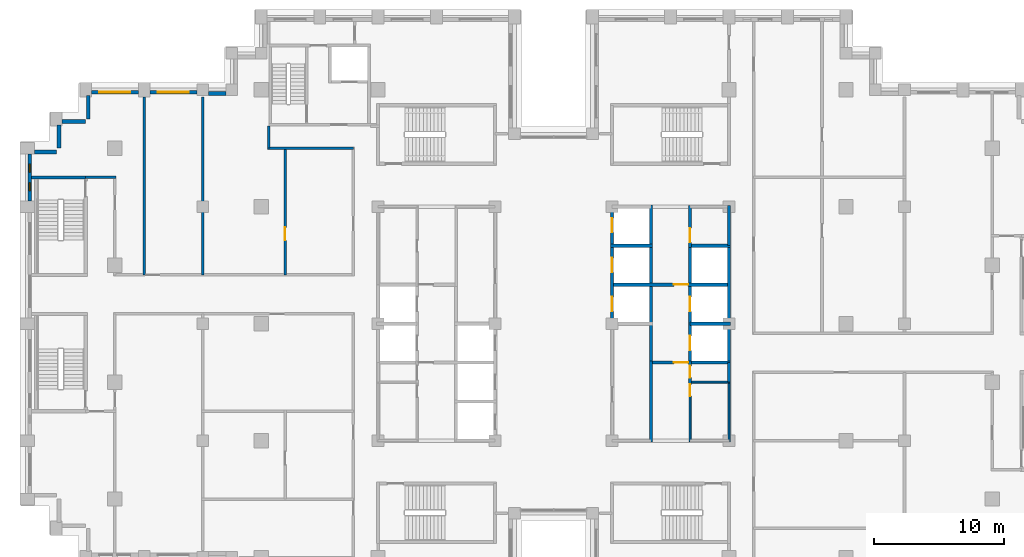
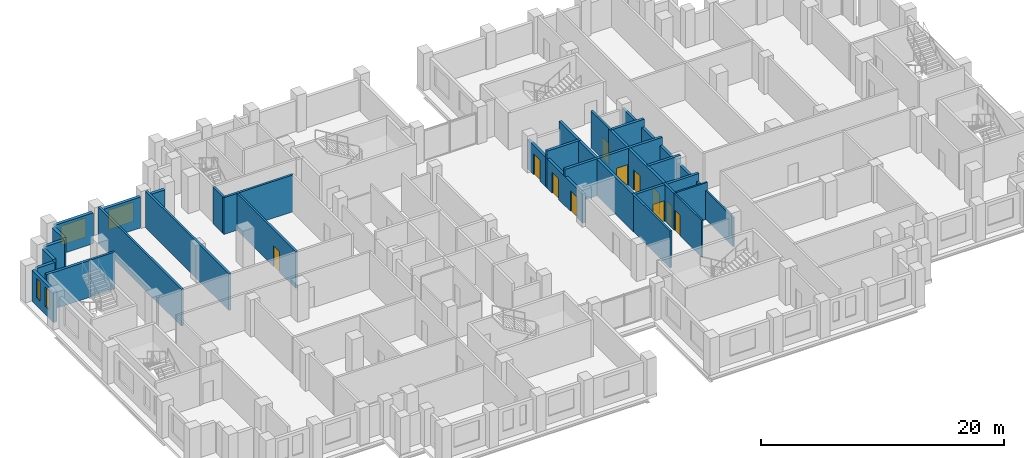
# One storey, part 9 of 15: 32 walls, 11 doors, 4 windows, 15 openings.
"""IFC4 building model written with IfcOpenShell, lengths in metres."""

from ifc_helpers import new_model, si_unit, direction, frame, frame_2d, origin, place, context, subcontext, project, spatial, rectangle, extrude, material, layer, layer_set, type_object, element, fill, save


model = new_model("IFC4")

# Units and contexts
model_context = context("Model", 3, precision=1e-05, world=origin(), true_north=direction((0.0, 1.0)))
body_context = subcontext(model_context, "Body", "Model", "MODEL_VIEW")
ifc_project = project(units=[si_unit("LENGTHUNIT", "METRE"), si_unit("AREAUNIT", "SQUARE_METRE"), si_unit("VOLUMEUNIT", "CUBIC_METRE"), si_unit("PLANEANGLEUNIT", "RADIAN"), si_unit("MASSUNIT", "GRAM", prefix="KILO")], contexts=[model_context])

# Site, building, storey
site_placement = place(None, origin())
site = spatial("IfcSite", under=ifc_project, at=site_placement, CompositionType="ELEMENT")
building_placement = place(site_placement, origin())
building = spatial("IfcBuilding", under=site, at=building_placement, Name="Corbelhall Arena Tower", CompositionType="ELEMENT")
storey_placement = place(building_placement, frame((0.0, 0.0, 166.0)))
storey = spatial("IfcBuildingStorey", under=building, at=storey_placement, Name="L33", CompositionType="ELEMENT", Elevation=166.0)

# Walls
ifc_material_1 = material(Name="Precast concrete C40/50 with granite facing", Category="masonry")
ifc_layer_1 = layer(ifc_material_1, 0.300048828125)
ifc_layer_set_1 = layer_set([ifc_layer_1], Name="EV-IW1 Infill panel 300")
wall_type_1 = type_object("IfcWallType", Name="EV-IW1 Infill panel 300", PredefinedType="SOLIDWALL", material=ifc_layer_set_1)
for number, where, z_axis, x_axis, name in (
    (1, (-35.800048828125, 17.550048828125, 0.0), (0.0, 0.0, 1.0), (0.0, -1.0, 0.0), "Infill panel IW1"),
    (2, (-37.800048828125, 15.550048828125, 0.0), (0.0, 0.0, 1.0), (1.0, 0.0, 0.0), "Infill panel IW1"),
    (3, (-38.050048828125, 15.300048828125, 0.0), (0.0, 0.0, 1.0), (0.0, -1.0, 0.0), "Infill panel IW1"),
):
    element("IfcWall", number, at=place(storey_placement, frame(where, z_axis=z_axis, x_axis=x_axis)), inside=storey, type_object=wall_type_1, Name=name, PredefinedType="SOLIDWALL", context=body_context, shape_type="SweptSolid", body=[
        extrude(rectangle(XDim=1.800048828125, YDim=0.300048828125, at=frame_2d((0.89990234375, 0.0))), origin(), (0.0, 0.0, 1.0), 3.10009765625),
    ])
wall_1_placement = place(storey_placement, frame((-39.949951171875, 13.199951171875, 0.0), z_axis=(0.0, 0.0, 1.0), x_axis=(1.0, 0.0, 0.0)))
element("IfcWall", 4, at=wall_1_placement, inside=storey, type_object=wall_type_1, Name="Infill panel IW1", PredefinedType="SOLIDWALL", context=body_context, shape_type="SweptSolid", body=[
    extrude(rectangle(XDim=1.699951171875, YDim=0.300048828125, at=frame_2d((0.85009765625, 0.0))), origin(), (0.0, 0.0, 1.0), 3.10009765625),
])
wall_2_placement = place(storey_placement, frame((-25.199951171875, 17.699951171875, 0.0), z_axis=(0.0, 0.0, 1.0), x_axis=(-1.0, 0.0, 0.0)))
element("IfcWall", 5, at=wall_2_placement, inside=storey, type_object=wall_type_1, Name="Infill panel IW1", PredefinedType="SOLIDWALL", context=body_context, shape_type="SweptSolid", body=[
    extrude(rectangle(XDim=1.35009765625, YDim=0.300048828125, at=frame_2d((0.675048828125, 0.0))), origin(), (0.0, 0.0, 1.0), 3.10009765625),
])

# Wall, opening, window
wall_3_placement = place(storey_placement, frame((-27.449951171875, 17.800048828125, 0.0), z_axis=(0.0, 0.0, 1.0), x_axis=(-1.0, 0.0, 0.0)))
wall_3 = element("IfcWall", 6, at=wall_3_placement, inside=storey, type_object=wall_type_1, Name="Infill panel IW1", PredefinedType="SOLIDWALL", context=body_context, shape_type="SweptSolid", body=[
    extrude(rectangle(XDim=3.60009765625, YDim=0.300048828125, at=frame_2d((1.800048828125, 0.0))), origin(), (0.0, 0.0, 1.0), 3.10009765625),
])
opening_1_placement = place(wall_3_placement, frame((0.60009765625, 0.0, 0.800048828125)))
opening_1 = element("IfcOpeningElement", 7, at=opening_1_placement, cuts=wall_3, Name="Opening WN1", PredefinedType="OPENING", context=body_context, shape_type="SweptSolid", body=[
    extrude(rectangle(XDim=2.39990234375, YDim=1.949951171875, at=frame_2d((1.199951171875, 0.97509765625))), frame((0.0, 0.14990234375, 0.0), z_axis=(0.0, -1.0, 0.0), x_axis=(1.0, 0.0, 0.0)), (0.0, 0.0, 1.0), 0.300048828125),
])
ifc_material_2 = material(Name="Aluminium black anodised", Category="aluminium")
window_type_1 = type_object("IfcWindowType", Name="EV-WN1 Office window", PartitioningType="SINGLE_PANEL", PredefinedType="WINDOW", material=ifc_material_2)
window_1_placement = place(opening_1_placement, origin())
window_1 = element("IfcWindow", 8, at=window_1_placement, inside=storey, type_object=window_type_1, Name="Window WN1", OverallHeight=1.949951171875, OverallWidth=2.39990234375, PartitioningType="SINGLE_PANEL", PredefinedType="WINDOW", context=body_context, shape_type="SweptSolid", body=[
    extrude(rectangle(XDim=2.39990234375, YDim=1.949951171875, at=frame_2d((1.199951171875, 0.97509765625))), frame((0.0, 0.030029296875, 0.0), z_axis=(0.0, -1.0, 0.0), x_axis=(1.0, 0.0, 0.0)), (0.0, 0.0, 1.0), 0.06005859375),
])
fill(opening_1, window_1)

wall_4_placement = place(storey_placement, frame((-31.949951171875, 17.800048828125, 0.0), z_axis=(0.0, 0.0, 1.0), x_axis=(-1.0, 0.0, 0.0)))
wall_4 = element("IfcWall", 9, at=wall_4_placement, inside=storey, type_object=wall_type_1, Name="Infill panel IW1", PredefinedType="SOLIDWALL", context=body_context, shape_type="SweptSolid", body=[
    extrude(rectangle(XDim=3.60009765625, YDim=0.300048828125, at=frame_2d((1.800048828125, 0.0))), origin(), (0.0, 0.0, 1.0), 3.10009765625),
])
opening_2_placement = place(wall_4_placement, frame((0.60009765625, 0.0, 0.800048828125)))
opening_2 = element("IfcOpeningElement", 10, at=opening_2_placement, cuts=wall_4, Name="Opening WN1", PredefinedType="OPENING", context=body_context, shape_type="SweptSolid", body=[
    extrude(rectangle(XDim=2.39990234375, YDim=1.949951171875, at=frame_2d((1.199951171875, 0.97509765625))), frame((0.0, 0.14990234375, 0.0), z_axis=(0.0, -1.0, 0.0), x_axis=(1.0, 0.0, 0.0)), (0.0, 0.0, 1.0), 0.300048828125),
])
window_2_placement = place(opening_2_placement, origin())
window_2 = element("IfcWindow", 11, at=window_2_placement, inside=storey, type_object=window_type_1, Name="Window WN1", OverallHeight=1.949951171875, OverallWidth=2.39990234375, PartitioningType="SINGLE_PANEL", PredefinedType="WINDOW", context=body_context, shape_type="SweptSolid", body=[
    extrude(rectangle(XDim=2.39990234375, YDim=1.949951171875, at=frame_2d((1.199951171875, 0.97509765625))), frame((0.0, 0.030029296875, 0.0), z_axis=(0.0, -1.0, 0.0), x_axis=(1.0, 0.0, 0.0)), (0.0, 0.0, 1.0), 0.06005859375),
])
fill(opening_2, window_2)

# Wall, openings, windows
wall_5_placement = place(storey_placement, frame((-40.300048828125, 13.050048828125, 0.0), z_axis=(0.0, 0.0, 1.0), x_axis=(0.0, -1.0, 0.0)))
wall_5 = element("IfcWall", 12, at=wall_5_placement, inside=storey, type_object=wall_type_1, Name="Infill panel IW1", PredefinedType="SOLIDWALL", context=body_context, shape_type="SweptSolid", body=[
    extrude(rectangle(XDim=3.60009765625, YDim=0.300048828125, at=frame_2d((1.800048828125, 0.0))), origin(), (0.0, 0.0, 1.0), 3.10009765625),
])
opening_3_placement = place(wall_5_placement, frame((0.78759765625, 0.0, 0.800048828125)))
opening_3 = element("IfcOpeningElement", 13, at=opening_3_placement, cuts=wall_5, Name="Opening WN5", PredefinedType="OPENING", context=body_context, shape_type="SweptSolid", body=[
    extrude(rectangle(XDim=0.60009765625, YDim=1.949951171875, at=frame_2d((0.300048828125, 0.97509765625))), frame((0.0, 0.14990234375, 0.0), z_axis=(0.0, -1.0, 0.0), x_axis=(1.0, 0.0, 0.0)), (0.0, 0.0, 1.0), 0.300048828125),
])
opening_4_placement = place(wall_5_placement, frame((2.21240234375, 0.0, 0.800048828125)))
opening_4 = element("IfcOpeningElement", 14, at=opening_4_placement, cuts=wall_5, Name="Opening WN5", PredefinedType="OPENING", context=body_context, shape_type="SweptSolid", body=[
    extrude(rectangle(XDim=0.60009765625, YDim=1.949951171875, at=frame_2d((0.300048828125, 0.97509765625))), frame((0.0, 0.14990234375, 0.0), z_axis=(0.0, -1.0, 0.0), x_axis=(1.0, 0.0, 0.0)), (0.0, 0.0, 1.0), 0.300048828125),
])
window_type_2 = type_object("IfcWindowType", Name="EV-WN5 Office window 600", PartitioningType="SINGLE_PANEL", PredefinedType="WINDOW", material=ifc_material_2)
window_3_placement = place(opening_3_placement, origin())
window_3 = element("IfcWindow", 15, at=window_3_placement, inside=storey, type_object=window_type_2, Name="Window WN5", OverallHeight=1.949951171875, OverallWidth=0.60009765625, PartitioningType="SINGLE_PANEL", PredefinedType="WINDOW", context=body_context, shape_type="SweptSolid", body=[
    extrude(rectangle(XDim=0.60009765625, YDim=1.949951171875, at=frame_2d((0.300048828125, 0.97509765625))), frame((0.0, 0.030029296875, 0.0), z_axis=(0.0, -1.0, 0.0), x_axis=(1.0, 0.0, 0.0)), (0.0, 0.0, 1.0), 0.06005859375),
])
fill(opening_3, window_3)
window_4_placement = place(opening_4_placement, origin())
window_4 = element("IfcWindow", 16, at=window_4_placement, inside=storey, type_object=window_type_2, Name="Window WN5", OverallHeight=1.949951171875, OverallWidth=0.60009765625, PartitioningType="SINGLE_PANEL", PredefinedType="WINDOW", context=body_context, shape_type="SweptSolid", body=[
    extrude(rectangle(XDim=0.60009765625, YDim=1.949951171875, at=frame_2d((0.300048828125, 0.97509765625))), frame((0.0, 0.030029296875, 0.0), z_axis=(0.0, -1.0, 0.0), x_axis=(1.0, 0.0, 0.0)), (0.0, 0.0, 1.0), 0.06005859375),
])
fill(opening_4, window_4)

# Walls
ifc_material_3 = material(Name="Gypsum board on steel stud, acoustic", Category="steel")
ifc_layer_2 = layer(ifc_material_3, 0.199951171875)
ifc_layer_set_2 = layer_set([ifc_layer_2], Name="IN-W-DM200")
wall_type_2 = type_object("IfcWallType", Name="IN-W-DM200", PredefinedType="PARTITIONING", material=ifc_layer_set_2)
wall_6_placement = place(storey_placement, frame((-36.0, 11.25, 0.0), z_axis=(0.0, 0.0, 1.0), x_axis=(1.0, 0.0, 0.0)))
element("IfcWall", 17, at=wall_6_placement, inside=storey, type_object=wall_type_2, Name="Partition 001", PredefinedType="PARTITIONING", context=body_context, shape_type="SweptSolid", body=[
    extrude(rectangle(XDim=2.35009765625, YDim=0.199951171875, at=frame_2d((1.175048828125, 0.0))), origin(), (0.0, 0.0, 1.0), 3.699951171875),
])
for number, where, z_axis, x_axis, name in (
    (18, (-31.5, 17.449951171875, 0.0), (0.0, 0.0, 1.0), (0.0, -1.0, 0.0), "Partition 006"),
    (19, (-27.0, 3.75, 0.0), (0.0, 0.0, 1.0), (0.0, 1.0, 0.0), "Partition 010"),
):
    element("IfcWall", number, at=place(storey_placement, frame(where, z_axis=z_axis, x_axis=x_axis)), inside=storey, type_object=wall_type_2, Name=name, PredefinedType="PARTITIONING", context=body_context, shape_type="SweptSolid", body=[
        extrude(rectangle(XDim=13.699951171875, YDim=0.199951171875, at=frame_2d((6.85009765625, 0.0))), origin(), (0.0, 0.0, 1.0), 3.699951171875),
    ])
wall_7_placement = place(storey_placement, frame((-21.89990234375, 13.5, 0.0), z_axis=(0.0, 0.0, 1.0), x_axis=(0.0, 1.0, 0.0)))
element("IfcWall", 20, at=wall_7_placement, inside=storey, type_object=wall_type_2, Name="Partition 013", PredefinedType="PARTITIONING", context=body_context, shape_type="SweptSolid", body=[
    extrude(rectangle(XDim=1.699951171875, YDim=0.199951171875, at=frame_2d((0.85009765625, 0.0))), origin(), (0.0, 0.0, 1.0), 3.699951171875),
])

# Wall, opening, door
wall_8_placement = place(storey_placement, frame((-20.64990234375, 3.75, 0.0), z_axis=(0.0, 0.0, 1.0), x_axis=(0.0, 1.0, 0.0)))
wall_8 = element("IfcWall", 21, at=wall_8_placement, inside=storey, type_object=wall_type_2, Name="Partition 016", PredefinedType="PARTITIONING", context=body_context, shape_type="SweptSolid", body=[
    extrude(rectangle(XDim=9.75, YDim=0.199951171875, at=frame_2d((4.875, 0.0))), origin(), (0.0, 0.0, 1.0), 3.699951171875),
])
opening_5_placement = place(wall_8_placement, frame((2.64990234375, 0.0, 0.0)))
opening_5 = element("IfcOpeningElement", 22, at=opening_5_placement, cuts=wall_8, Name="Opening 09025", PredefinedType="OPENING", context=body_context, shape_type="SweptSolid", body=[
    extrude(rectangle(XDim=1.0, YDim=2.10009765625, at=frame_2d((0.5, 1.050048828125))), frame((0.0, 0.10009765625, 0.0), z_axis=(0.0, -1.0, 0.0), x_axis=(1.0, 0.0, 0.0)), (0.0, 0.0, 1.0), 0.199951171875),
])
ifc_material_4 = material(Name="Steel door set", Category="steel")
door_type_1 = type_object("IfcDoorType", Name="IN-D-SW100", OperationType="NOTDEFINED", PredefinedType="DOOR", material=ifc_material_4)
door_1_placement = place(opening_5_placement, origin())
door_1 = element("IfcDoor", 23, at=door_1_placement, inside=storey, type_object=door_type_1, Name="Door 025", OperationType="SINGLE_SWING_RIGHT", OverallHeight=2.10009765625, OverallWidth=1.0, PredefinedType="DOOR", context=body_context, shape_type="SweptSolid", body=[
    extrude(rectangle(XDim=1.0, YDim=2.10009765625, at=frame_2d((0.5, 1.050048828125))), frame((0.0, 0.02490234375, 0.0), z_axis=(0.0, -1.0, 0.0), x_axis=(1.0, 0.0, 0.0)), (0.0, 0.0, 1.0), 0.050048828125),
])
fill(opening_5, door_1)

# Walls
wall_9_placement = place(storey_placement, frame((-15.39990234375, 13.5, 0.0), z_axis=(0.0, 0.0, 1.0), x_axis=(-1.0, 0.0, 0.0)))
element("IfcWall", 24, at=wall_9_placement, inside=storey, type_object=wall_type_2, Name="Partition 017", PredefinedType="PARTITIONING", context=body_context, shape_type="SweptSolid", body=[
    extrude(rectangle(XDim=6.60009765625, YDim=0.199951171875, at=frame_2d((3.300048828125, 0.0))), origin(), (0.0, 0.0, 1.0), 3.699951171875),
])
ifc_material_5 = material(Name="Concrete block wall", Category="concrete")
ifc_layer_3 = layer(ifc_material_5, 0.199951171875)
ifc_layer_set_3 = layer_set([ifc_layer_3], Name="IN-W-RS200")
wall_type_3 = type_object("IfcWallType", Name="IN-W-RS200", PredefinedType="SOLIDWALL", material=ifc_layer_set_3)
wall_10_placement = place(storey_placement, frame((7.5, -2.875, 0.0), z_axis=(0.0, 0.0, 1.0), x_axis=(0.0, -1.0, 0.0)))
element("IfcWall", 25, at=wall_10_placement, inside=storey, type_object=wall_type_3, Name="Partition 051", PredefinedType="SOLIDWALL", context=body_context, shape_type="SweptSolid", body=[
    extrude(rectangle(XDim=6.22509765625, YDim=0.199951171875, at=frame_2d((3.112548828125, 0.0))), origin(), (0.0, 0.0, 1.0), 3.699951171875),
])

# Wall, opening, door
wall_11_placement = place(storey_placement, frame((10.5, -2.875, 0.0), z_axis=(0.0, 0.0, 1.0), x_axis=(0.0, -1.0, 0.0)))
wall_11 = element("IfcWall", 26, at=wall_11_placement, inside=storey, type_object=wall_type_3, Name="Partition 052", PredefinedType="SOLIDWALL", context=body_context, shape_type="SweptSolid", body=[
    extrude(rectangle(XDim=1.699951171875, YDim=0.199951171875, at=frame_2d((0.85009765625, 0.0))), origin(), (0.0, 0.0, 1.0), 3.699951171875),
])
opening_6_placement = place(wall_11_placement, frame((0.3701171875, 0.0, 0.0)))
opening_6 = element("IfcOpeningElement", 27, at=opening_6_placement, cuts=wall_11, Name="Opening 09046", PredefinedType="OPENING", context=body_context, shape_type="SweptSolid", body=[
    extrude(rectangle(XDim=0.89990234375, YDim=2.10009765625, at=frame_2d((0.449951171875, 1.050048828125))), frame((0.0, 0.10009765625, 0.0), z_axis=(0.0, -1.0, 0.0), x_axis=(1.0, 0.0, 0.0)), (0.0, 0.0, 1.0), 0.199951171875),
])
ifc_material_6 = material(Name="Timber door set", Category="wood")
door_type_2 = type_object("IfcDoorType", Name="IN-D-SW90", OperationType="NOTDEFINED", PredefinedType="DOOR", material=ifc_material_6)
door_2_placement = place(opening_6_placement, origin())
door_2 = element("IfcDoor", 28, at=door_2_placement, inside=storey, type_object=door_type_2, Name="Door 046", OperationType="SINGLE_SWING_LEFT", OverallHeight=2.10009765625, OverallWidth=0.89990234375, PredefinedType="DOOR", context=body_context, shape_type="SweptSolid", body=[
    extrude(rectangle(XDim=0.89990234375, YDim=2.10009765625, at=frame_2d((0.449951171875, 1.050048828125))), frame((0.0, 0.02490234375, 0.0), z_axis=(0.0, -1.0, 0.0), x_axis=(1.0, 0.0, 0.0)), (0.0, 0.0, 1.0), 0.050048828125),
])
fill(opening_6, door_2)

wall_12_placement = place(storey_placement, frame((10.5, 9.10009765625, 0.0), z_axis=(0.0, 0.0, 1.0), x_axis=(0.0, -1.0, 0.0)))
wall_12 = element("IfcWall", 29, at=wall_12_placement, inside=storey, type_object=wall_type_3, Name="Partition 054", PredefinedType="SOLIDWALL", context=body_context, shape_type="SweptSolid", body=[
    extrude(rectangle(XDim=3.22509765625, YDim=0.199951171875, at=frame_2d((1.612548828125, 0.0))), origin(), (0.0, 0.0, 1.0), 3.699951171875),
])
opening_7_placement = place(wall_12_placement, frame((1.75, 0.0, 0.0)))
opening_7 = element("IfcOpeningElement", 30, at=opening_7_placement, cuts=wall_12, Name="Opening 09011", PredefinedType="OPENING", context=body_context, shape_type="SweptSolid", body=[
    extrude(rectangle(XDim=1.10009765625, YDim=2.10009765625, at=frame_2d((0.550048828125, 1.050048828125))), frame((0.0, 0.10009765625, 0.0), z_axis=(0.0, -1.0, 0.0), x_axis=(1.0, 0.0, 0.0)), (0.0, 0.0, 1.0), 0.199951171875),
])
door_type_3 = type_object("IfcDoorType", Name="IN-D-FD110", OperationType="NOTDEFINED", PredefinedType="DOOR", material=ifc_material_4)
door_3_placement = place(opening_7_placement, origin())
door_3 = element("IfcDoor", 31, at=door_3_placement, inside=storey, type_object=door_type_3, Name="Door 011", OperationType="SINGLE_SWING_RIGHT", OverallHeight=2.10009765625, OverallWidth=1.10009765625, PredefinedType="DOOR", context=body_context, shape_type="SweptSolid", body=[
    extrude(rectangle(XDim=1.10009765625, YDim=2.10009765625, at=frame_2d((0.550048828125, 1.050048828125))), frame((0.0, 0.02490234375, 0.0), z_axis=(0.0, -1.0, 0.0), x_axis=(1.0, 0.0, 0.0)), (0.0, 0.0, 1.0), 0.050048828125),
])
fill(opening_7, door_3)

# Walls
ifc_layer_4 = layer(ifc_material_5, 0.199951171875)
ifc_layer_set_4 = layer_set([ifc_layer_4], Name="IN-W-RS200 under beam 762 mm")
wall_type_4 = type_object("IfcWallType", Name="IN-W-RS200 under beam 762 mm", PredefinedType="SOLIDWALL", material=ifc_layer_set_4)
wall_13_placement = place(storey_placement, frame((13.5, -3.0, 0.0), z_axis=(0.0, 0.0, 1.0), x_axis=(0.0, -1.0, 0.0)))
element("IfcWall", 32, at=wall_13_placement, inside=storey, type_object=wall_type_4, Name="Partition 055", PredefinedType="SOLIDWALL", context=body_context, shape_type="SweptSolid", body=[
    extrude(rectangle(XDim=1.5, YDim=0.199951171875, at=frame_2d((0.75, 0.0))), origin(), (0.0, 0.0, 1.0), 2.93798828125),
])
wall_14_placement = place(storey_placement, frame((13.5, 9.10009765625, 0.0), z_axis=(0.0, 0.0, 1.0), x_axis=(0.0, -1.0, 0.0)))
element("IfcWall", 33, at=wall_14_placement, inside=storey, type_object=wall_type_4, Name="Partition 056", PredefinedType="SOLIDWALL", context=body_context, shape_type="SweptSolid", body=[
    extrude(rectangle(XDim=3.10009765625, YDim=0.199951171875, at=frame_2d((1.550048828125, 0.0))), origin(), (0.0, 0.0, 1.0), 2.93798828125),
])

# Wall, opening, door
ifc_material_7 = material(Name="Concrete C40/50", Category="concrete")
ifc_layer_5 = layer(ifc_material_7, 0.25)
ifc_layer_set_5 = layer_set([ifc_layer_5], Name="IN-W-SH250")
wall_type_5 = type_object("IfcWallType", Name="IN-W-SH250", PredefinedType="SOLIDWALL", material=ifc_layer_set_5)
wall_15_placement = place(storey_placement, frame((4.375, 3.0, 0.0), z_axis=(0.0, 0.0, 1.0), x_axis=(1.0, 0.0, 0.0)))
wall_15 = element("IfcWall", 34, at=wall_15_placement, inside=storey, type_object=wall_type_5, Name="Shaft wall 068", PredefinedType="SOLIDWALL", context=body_context, shape_type="SweptSolid", body=[
    extrude(rectangle(XDim=9.25, YDim=0.25, at=frame_2d((4.625, 0.0))), origin(), (0.0, 0.0, 1.0), 3.699951171875),
])
opening_8_placement = place(wall_15_placement, frame((4.875, 0.0, 0.0)))
opening_8 = element("IfcOpeningElement", 35, at=opening_8_placement, cuts=wall_15, Name="Opening 09009", PredefinedType="OPENING", context=body_context, shape_type="SweptSolid", body=[
    extrude(rectangle(XDim=1.10009765625, YDim=2.10009765625, at=frame_2d((0.550048828125, 1.050048828125))), frame((0.0, 0.125, 0.0), z_axis=(0.0, -1.0, 0.0), x_axis=(1.0, 0.0, 0.0)), (0.0, 0.0, 1.0), 0.25),
])
door_4_placement = place(opening_8_placement, origin())
door_4 = element("IfcDoor", 36, at=door_4_placement, inside=storey, type_object=door_type_3, Name="Door 009", OperationType="SINGLE_SWING_RIGHT", OverallHeight=2.10009765625, OverallWidth=1.10009765625, PredefinedType="DOOR", context=body_context, shape_type="SweptSolid", body=[
    extrude(rectangle(XDim=1.10009765625, YDim=2.10009765625, at=frame_2d((0.550048828125, 1.050048828125))), frame((0.0, 0.02490234375, 0.0), z_axis=(0.0, -1.0, 0.0), x_axis=(1.0, 0.0, 0.0)), (0.0, 0.0, 1.0), 0.050048828125),
])
fill(opening_8, door_4)

# Wall
wall_16_placement = place(storey_placement, frame((4.375, 6.0, 0.0), z_axis=(0.0, 0.0, 1.0), x_axis=(1.0, 0.0, 0.0)))
element("IfcWall", 37, at=wall_16_placement, inside=storey, type_object=wall_type_5, Name="Shaft wall 069", PredefinedType="SOLIDWALL", context=body_context, shape_type="SweptSolid", body=[
    extrude(rectangle(XDim=3.25, YDim=0.25, at=frame_2d((1.625, 0.0))), origin(), (0.0, 0.0, 1.0), 3.699951171875),
])

# Wall, opening, door
wall_17_placement = place(storey_placement, frame((7.5, -3.0, 0.0), z_axis=(0.0, 0.0, 1.0), x_axis=(1.0, 0.0, 0.0)))
wall_17 = element("IfcWall", 38, at=wall_17_placement, inside=storey, type_object=wall_type_5, Name="Shaft wall 072", PredefinedType="SOLIDWALL", context=body_context, shape_type="SweptSolid", body=[
    extrude(rectangle(XDim=6.125, YDim=0.25, at=frame_2d((3.0625, 0.0))), origin(), (0.0, 0.0, 1.0), 3.699951171875),
])
opening_9_placement = place(wall_17_placement, frame((1.75, 0.0, 0.0)))
opening_9 = element("IfcOpeningElement", 39, at=opening_9_placement, cuts=wall_17, Name="Opening 09008", PredefinedType="OPENING", context=body_context, shape_type="SweptSolid", body=[
    extrude(rectangle(XDim=1.10009765625, YDim=2.10009765625, at=frame_2d((0.550048828125, 1.050048828125))), frame((0.0, 0.125, 0.0), z_axis=(0.0, -1.0, 0.0), x_axis=(1.0, 0.0, 0.0)), (0.0, 0.0, 1.0), 0.25),
])
door_5_placement = place(opening_9_placement, origin())
door_5 = element("IfcDoor", 40, at=door_5_placement, inside=storey, type_object=door_type_3, Name="Door 008", OperationType="SINGLE_SWING_LEFT", OverallHeight=2.10009765625, OverallWidth=1.10009765625, PredefinedType="DOOR", context=body_context, shape_type="SweptSolid", body=[
    extrude(rectangle(XDim=1.10009765625, YDim=2.10009765625, at=frame_2d((0.550048828125, 1.050048828125))), frame((0.0, 0.02490234375, 0.0), z_axis=(0.0, -1.0, 0.0), x_axis=(1.0, 0.0, 0.0)), (0.0, 0.0, 1.0), 0.050048828125),
])
fill(opening_9, door_5)

# Walls
wall_18_placement = place(storey_placement, frame((7.5, 9.125, 0.0), z_axis=(0.0, 0.0, 1.0), x_axis=(0.0, -1.0, 0.0)))
element("IfcWall", 41, at=wall_18_placement, inside=storey, type_object=wall_type_5, Name="Shaft wall 073", PredefinedType="SOLIDWALL", context=body_context, shape_type="SweptSolid", body=[
    extrude(rectangle(XDim=12.25, YDim=0.25, at=frame_2d((6.125, 0.0))), origin(), (0.0, 0.0, 1.0), 3.699951171875),
])
wall_19_placement = place(storey_placement, frame((10.5, 0.0, 0.0), z_axis=(0.0, 0.0, 1.0), x_axis=(1.0, 0.0, 0.0)))
element("IfcWall", 42, at=wall_19_placement, inside=storey, type_object=wall_type_5, Name="Shaft wall 074", PredefinedType="SOLIDWALL", context=body_context, shape_type="SweptSolid", body=[
    extrude(rectangle(XDim=3.125, YDim=0.25, at=frame_2d((1.5625, 0.0))), origin(), (0.0, 0.0, 1.0), 3.699951171875),
])

# Wall, openings, doors
wall_20_placement = place(storey_placement, frame((10.5, 6.125, 0.0), z_axis=(0.0, 0.0, 1.0), x_axis=(0.0, -1.0, 0.0)))
wall_20 = element("IfcWall", 43, at=wall_20_placement, inside=storey, type_object=wall_type_5, Name="Shaft wall 075", PredefinedType="SOLIDWALL", context=body_context, shape_type="SweptSolid", body=[
    extrude(rectangle(XDim=9.25, YDim=0.25, at=frame_2d((4.625, 0.0))), origin(), (0.0, 0.0, 1.0), 3.699951171875),
])
opening_10_placement = place(wall_20_placement, frame((7.074951171875, 0.0, 0.0)))
opening_10 = element("IfcOpeningElement", 44, at=opening_10_placement, cuts=wall_20, Name="Opening LD", PredefinedType="OPENING", context=body_context, shape_type="SweptSolid", body=[
    extrude(rectangle(XDim=1.10009765625, YDim=2.10009765625, at=frame_2d((0.550048828125, 1.050048828125))), frame((0.0, 0.125, 0.0), z_axis=(0.0, -1.0, 0.0), x_axis=(1.0, 0.0, 0.0)), (0.0, 0.0, 1.0), 0.25),
])
opening_11_placement = place(wall_20_placement, frame((4.074951171875, 0.0, 0.0)))
opening_11 = element("IfcOpeningElement", 45, at=opening_11_placement, cuts=wall_20, Name="Opening LD", PredefinedType="OPENING", context=body_context, shape_type="SweptSolid", body=[
    extrude(rectangle(XDim=1.10009765625, YDim=2.10009765625, at=frame_2d((0.550048828125, 1.050048828125))), frame((0.0, 0.125, 0.0), z_axis=(0.0, -1.0, 0.0), x_axis=(1.0, 0.0, 0.0)), (0.0, 0.0, 1.0), 0.25),
])
door_type_4 = type_object("IfcDoorType", Name="IN-D-LD110", OperationType="NOTDEFINED", PredefinedType="DOOR", material=ifc_material_4)
door_6_placement = place(opening_10_placement, origin())
door_6 = element("IfcDoor", 46, at=door_6_placement, inside=storey, type_object=door_type_4, Name="Landing door E3", OperationType="SLIDING_TO_LEFT", OverallHeight=2.10009765625, OverallWidth=1.10009765625, PredefinedType="DOOR", context=body_context, shape_type="SweptSolid", body=[
    extrude(rectangle(XDim=1.10009765625, YDim=2.10009765625, at=frame_2d((0.550048828125, 1.050048828125))), frame((0.0, 0.02490234375, 0.0), z_axis=(0.0, -1.0, 0.0), x_axis=(1.0, 0.0, 0.0)), (0.0, 0.0, 1.0), 0.050048828125),
])
fill(opening_10, door_6)
door_7_placement = place(opening_11_placement, origin())
door_7 = element("IfcDoor", 47, at=door_7_placement, inside=storey, type_object=door_type_4, Name="Landing door E4", OperationType="SLIDING_TO_LEFT", OverallHeight=2.10009765625, OverallWidth=1.10009765625, PredefinedType="DOOR", context=body_context, shape_type="SweptSolid", body=[
    extrude(rectangle(XDim=1.10009765625, YDim=2.10009765625, at=frame_2d((0.550048828125, 1.050048828125))), frame((0.0, 0.02490234375, 0.0), z_axis=(0.0, -1.0, 0.0), x_axis=(1.0, 0.0, 0.0)), (0.0, 0.0, 1.0), 0.050048828125),
])
fill(opening_11, door_7)

# Wall
wall_21_placement = place(storey_placement, frame((10.5, 6.0, 0.0), z_axis=(0.0, 0.0, 1.0), x_axis=(1.0, 0.0, 0.0)))
element("IfcWall", 48, at=wall_21_placement, inside=storey, type_object=wall_type_5, Name="Shaft wall 076", PredefinedType="SOLIDWALL", context=body_context, shape_type="SweptSolid", body=[
    extrude(rectangle(XDim=3.125, YDim=0.25, at=frame_2d((1.5625, 0.0))), origin(), (0.0, 0.0, 1.0), 3.699951171875),
])

# Wall, openings, doors
ifc_layer_6 = layer(ifc_material_7, 0.25)
ifc_layer_set_6 = layer_set([ifc_layer_6], Name="IN-W-SH250 under beam 762 mm")
wall_type_6 = type_object("IfcWallType", Name="IN-W-SH250 under beam 762 mm", PredefinedType="SOLIDWALL", material=ifc_layer_set_6)
wall_22_placement = place(storey_placement, frame((4.5, 0.0, 0.0), z_axis=(0.0, 0.0, 1.0), x_axis=(0.0, 1.0, 0.0)))
wall_22 = element("IfcWall", 49, at=wall_22_placement, inside=storey, type_object=wall_type_6, Name="Shaft wall 070", PredefinedType="SOLIDWALL", context=body_context, shape_type="SweptSolid", body=[
    extrude(rectangle(XDim=9.125, YDim=0.25, at=frame_2d((4.5625, 0.0))), origin(), (0.0, 0.0, 1.0), 2.93798828125),
])
opening_12_placement = place(wall_22_placement, frame((0.949951171875, 0.0, 0.0)))
opening_12 = element("IfcOpeningElement", 50, at=opening_12_placement, cuts=wall_22, Name="Opening LD", PredefinedType="OPENING", context=body_context, shape_type="SweptSolid", body=[
    extrude(rectangle(XDim=1.10009765625, YDim=2.10009765625, at=frame_2d((0.550048828125, 1.050048828125))), frame((0.0, 0.125, 0.0), z_axis=(0.0, -1.0, 0.0), x_axis=(1.0, 0.0, 0.0)), (0.0, 0.0, 1.0), 0.25),
])
opening_13_placement = place(wall_22_placement, frame((3.949951171875, 0.0, 0.0)))
opening_13 = element("IfcOpeningElement", 51, at=opening_13_placement, cuts=wall_22, Name="Opening LD", PredefinedType="OPENING", context=body_context, shape_type="SweptSolid", body=[
    extrude(rectangle(XDim=1.10009765625, YDim=2.10009765625, at=frame_2d((0.550048828125, 1.050048828125))), frame((0.0, 0.125, 0.0), z_axis=(0.0, -1.0, 0.0), x_axis=(1.0, 0.0, 0.0)), (0.0, 0.0, 1.0), 0.25),
])
opening_14_placement = place(wall_22_placement, frame((7.012451171875, 0.0, 0.0)))
opening_14 = element("IfcOpeningElement", 52, at=opening_14_placement, cuts=wall_22, Name="Opening LD", PredefinedType="OPENING", context=body_context, shape_type="SweptSolid", body=[
    extrude(rectangle(XDim=1.10009765625, YDim=2.10009765625, at=frame_2d((0.550048828125, 1.050048828125))), frame((0.0, 0.125, 0.0), z_axis=(0.0, -1.0, 0.0), x_axis=(1.0, 0.0, 0.0)), (0.0, 0.0, 1.0), 0.25),
])
door_8_placement = place(opening_12_placement, origin())
door_8 = element("IfcDoor", 53, at=door_8_placement, inside=storey, type_object=door_type_4, Name="Landing door E4", OperationType="SLIDING_TO_LEFT", OverallHeight=2.10009765625, OverallWidth=1.10009765625, PredefinedType="DOOR", context=body_context, shape_type="SweptSolid", body=[
    extrude(rectangle(XDim=1.10009765625, YDim=2.10009765625, at=frame_2d((0.550048828125, 1.050048828125))), frame((0.0, 0.02490234375, 0.0), z_axis=(0.0, -1.0, 0.0), x_axis=(1.0, 0.0, 0.0)), (0.0, 0.0, 1.0), 0.050048828125),
])
fill(opening_12, door_8)
door_9_placement = place(opening_13_placement, origin())
door_9 = element("IfcDoor", 54, at=door_9_placement, inside=storey, type_object=door_type_4, Name="Landing door E5", OperationType="SLIDING_TO_LEFT", OverallHeight=2.10009765625, OverallWidth=1.10009765625, PredefinedType="DOOR", context=body_context, shape_type="SweptSolid", body=[
    extrude(rectangle(XDim=1.10009765625, YDim=2.10009765625, at=frame_2d((0.550048828125, 1.050048828125))), frame((0.0, 0.02490234375, 0.0), z_axis=(0.0, -1.0, 0.0), x_axis=(1.0, 0.0, 0.0)), (0.0, 0.0, 1.0), 0.050048828125),
])
fill(opening_13, door_9)
door_10_placement = place(opening_14_placement, origin())
door_10 = element("IfcDoor", 55, at=door_10_placement, inside=storey, type_object=door_type_4, Name="Landing door E6", OperationType="SLIDING_TO_LEFT", OverallHeight=2.10009765625, OverallWidth=1.10009765625, PredefinedType="DOOR", context=body_context, shape_type="SweptSolid", body=[
    extrude(rectangle(XDim=1.10009765625, YDim=2.10009765625, at=frame_2d((0.550048828125, 1.050048828125))), frame((0.0, 0.02490234375, 0.0), z_axis=(0.0, -1.0, 0.0), x_axis=(1.0, 0.0, 0.0)), (0.0, 0.0, 1.0), 0.050048828125),
])
fill(opening_14, door_10)

# Walls
wall_23_placement = place(storey_placement, frame((13.5, 6.0, 0.0), z_axis=(0.0, 0.0, 1.0), x_axis=(0.0, -1.0, 0.0)))
element("IfcWall", 56, at=wall_23_placement, inside=storey, type_object=wall_type_6, Name="Shaft wall 077", PredefinedType="SOLIDWALL", context=body_context, shape_type="SweptSolid", body=[
    extrude(rectangle(XDim=9.0, YDim=0.25, at=frame_2d((4.5, 0.0))), origin(), (0.0, 0.0, 1.0), 2.93798828125),
])
ifc_layer_7 = layer(ifc_material_7, 0.25)
ifc_layer_set_7 = layer_set([ifc_layer_7], Name="IN-W-ST250")
wall_type_7 = type_object("IfcWallType", Name="IN-W-ST250", PredefinedType="SOLIDWALL", material=ifc_layer_set_7)
wall_24_placement = place(storey_placement, frame((-40.14990234375, 11.25, 0.0), z_axis=(0.0, 0.0, 1.0), x_axis=(1.0, 0.0, 0.0)))
element("IfcWall", 57, at=wall_24_placement, inside=storey, type_object=wall_type_7, Name="Shaft wall 079", PredefinedType="SOLIDWALL", context=body_context, shape_type="SweptSolid", body=[
    extrude(rectangle(XDim=4.14990234375, YDim=0.25, at=frame_2d((2.074951171875, 0.0))), origin(), (0.0, 0.0, 1.0), 3.699951171875),
])
ifc_material_8 = material(Name="Gypsum board on steel stud, moisture resistant", Category="steel")
ifc_layer_8 = layer(ifc_material_8, 0.14990234375)
ifc_layer_set_8 = layer_set([ifc_layer_8], Name="IN-W-WC150")
wall_type_8 = type_object("IfcWallType", Name="IN-W-WC150", PredefinedType="PARTITIONING", material=ifc_layer_set_8)
wall_25_placement = place(storey_placement, frame((10.5, -4.5, 0.0), z_axis=(0.0, 0.0, 1.0), x_axis=(1.0, 0.0, 0.0)))
element("IfcWall", 58, at=wall_25_placement, inside=storey, type_object=wall_type_8, Name="Partition 113", PredefinedType="PARTITIONING", context=body_context, shape_type="SweptSolid", body=[
    extrude(rectangle(XDim=3.10009765625, YDim=0.14990234375, at=frame_2d((1.550048828125, 0.0))), origin(), (0.0, 0.0, 1.0), 3.699951171875),
])

# Wall, opening, door
wall_26_placement = place(storey_placement, frame((10.5, -4.425048828125, 0.0), z_axis=(0.0, 0.0, 1.0), x_axis=(0.0, -1.0, 0.0)))
wall_26 = element("IfcWall", 59, at=wall_26_placement, inside=storey, type_object=wall_type_8, Name="Partition 114", PredefinedType="PARTITIONING", context=body_context, shape_type="SweptSolid", body=[
    extrude(rectangle(XDim=4.64990234375, YDim=0.14990234375, at=frame_2d((2.324951171875, 0.0))), origin(), (0.0, 0.0, 1.0), 3.699951171875),
])
opening_15_placement = place(wall_26_placement, frame((0.25, 0.0, 0.0)))
opening_15 = element("IfcOpeningElement", 60, at=opening_15_placement, cuts=wall_26, Name="Opening 09010", PredefinedType="OPENING", context=body_context, shape_type="SweptSolid", body=[
    extrude(rectangle(XDim=0.89990234375, YDim=2.10009765625, at=frame_2d((0.449951171875, 1.050048828125))), frame((0.0, 0.074951171875, 0.0), z_axis=(0.0, -1.0, 0.0), x_axis=(1.0, 0.0, 0.0)), (0.0, 0.0, 1.0), 0.14990234375),
])
door_11_placement = place(opening_15_placement, origin())
door_11 = element("IfcDoor", 61, at=door_11_placement, inside=storey, type_object=door_type_2, Name="Door 010", OperationType="SINGLE_SWING_LEFT", OverallHeight=2.10009765625, OverallWidth=0.89990234375, PredefinedType="DOOR", context=body_context, shape_type="SweptSolid", body=[
    extrude(rectangle(XDim=0.89990234375, YDim=2.10009765625, at=frame_2d((0.449951171875, 1.050048828125))), frame((0.0, 0.02490234375, 0.0), z_axis=(0.0, -1.0, 0.0), x_axis=(1.0, 0.0, 0.0)), (0.0, 0.0, 1.0), 0.050048828125),
])
fill(opening_15, door_11)

# Wall
ifc_layer_9 = layer(ifc_material_8, 0.14990234375)
ifc_layer_set_9 = layer_set([ifc_layer_9], Name="IN-W-WC150 under beam 762 mm")
wall_type_9 = type_object("IfcWallType", Name="IN-W-WC150 under beam 762 mm", PredefinedType="PARTITIONING", material=ifc_layer_set_9)
wall_27_placement = place(storey_placement, frame((13.5, -4.5, 0.0), z_axis=(0.0, 0.0, 1.0), x_axis=(0.0, -1.0, 0.0)))
element("IfcWall", 62, at=wall_27_placement, inside=storey, type_object=wall_type_9, Name="Partition 116", PredefinedType="PARTITIONING", context=body_context, shape_type="SweptSolid", body=[
    extrude(rectangle(XDim=4.574951171875, YDim=0.14990234375, at=frame_2d((2.28759765625, 0.0))), origin(), (0.0, 0.0, 1.0), 2.93798828125),
])

save(model, "model.ifc")
